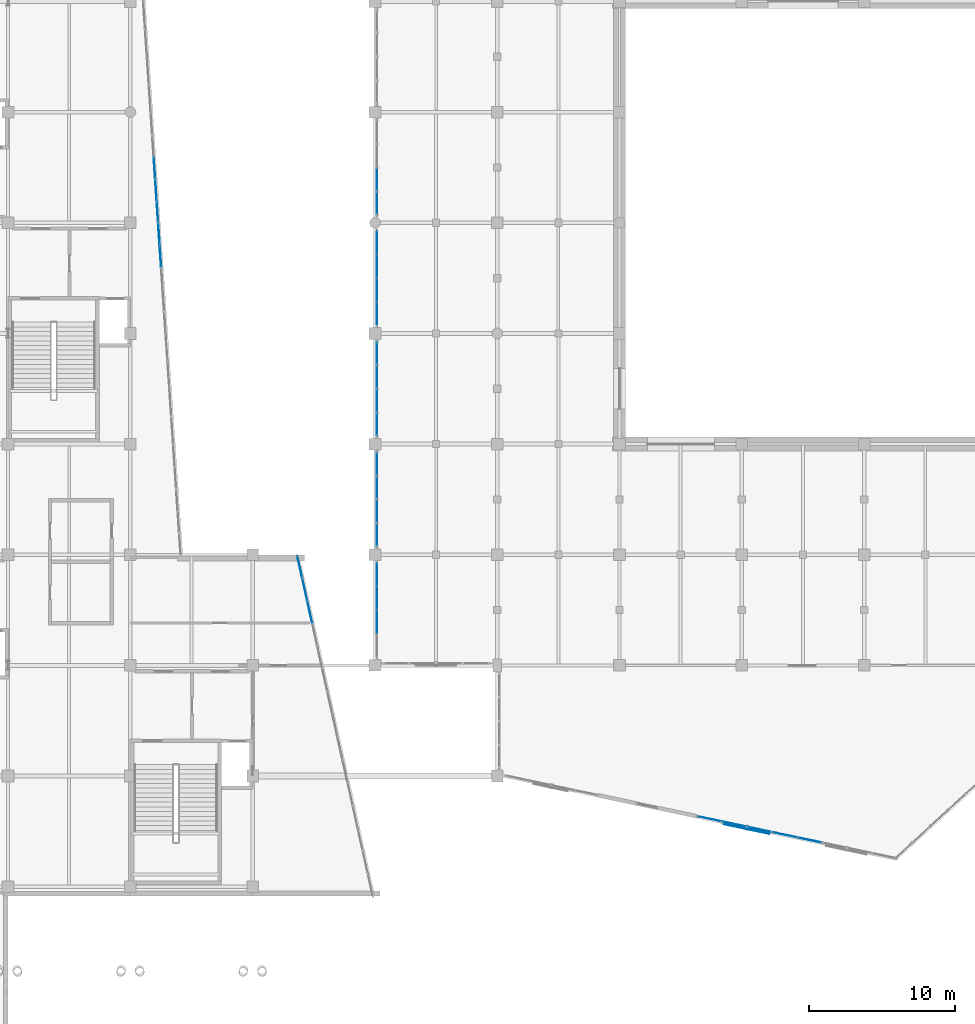
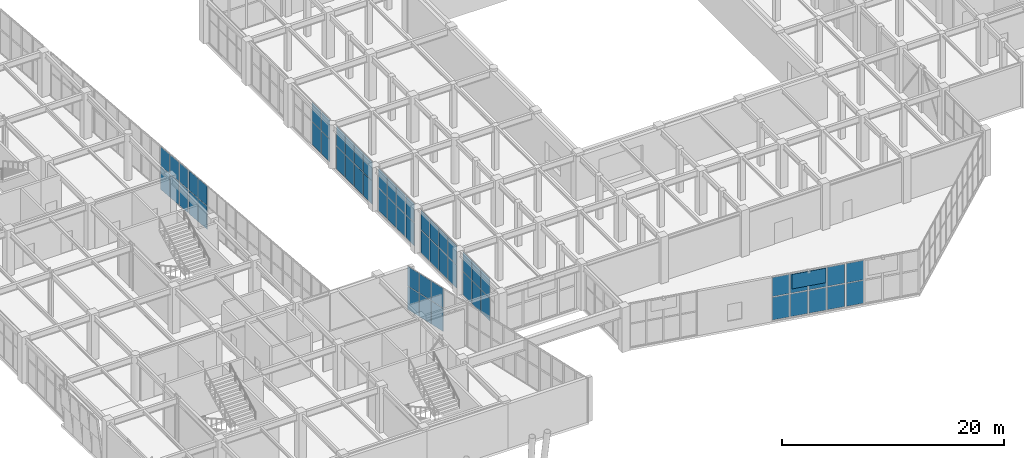
# One storey, part 96 of 128: 61 plates, 10 elements without a shape of their own.
"""IFC4 building model written with IfcOpenShell, lengths in metres."""

from ifc_helpers import new_model, si_unit, direction, frame, origin, origin_2d, place, context, subcontext, project, spatial, rectangle, extrude, material, layer, layer_set, type_object, element, aggregate, save


model = new_model("IFC4")

# Units and contexts
model_context = context("Model", 3, precision=1e-05, world=origin(), true_north=direction((0.0, 1.0)))
body_context = subcontext(model_context, "Body", "Model", "MODEL_VIEW")
ifc_project = project(units=[si_unit("LENGTHUNIT", "METRE"), si_unit("AREAUNIT", "SQUARE_METRE"), si_unit("VOLUMEUNIT", "CUBIC_METRE"), si_unit("PLANEANGLEUNIT", "RADIAN"), si_unit("MASSUNIT", "GRAM", prefix="KILO")], contexts=[model_context])

# Site, building, storey
site_placement = place(None, origin())
site = spatial("IfcSite", under=ifc_project, at=site_placement, CompositionType="ELEMENT")
building_placement = place(site_placement, origin())
building = spatial("IfcBuilding", under=site, at=building_placement, Name="Xicomal Pleat Aquarium", CompositionType="ELEMENT")
storey_placement = place(building_placement, frame((0.0, 0.0, 5.39990234375)))
storey = spatial("IfcBuildingStorey", under=building, at=storey_placement, Name="L02", CompositionType="ELEMENT", Elevation=5.39990234375)

# Curtain wall, plates
ifc_material_1 = material(Name="Bronze anodized aluminium 6063-T6", Category="aluminium")
ifc_layer_1 = layer(ifc_material_1, 0.159912109375)
ifc_layer_set_1 = layer_set([ifc_layer_1], Name="Bronze anodized aluminium 6063-T6")
curtain_wall_type_1 = type_object("IfcCurtainWallType", Name="CW-SYS-12", PredefinedType="NOTDEFINED", material=ifc_layer_set_1)
curtain_wall_1_placement = place(storey_placement, origin())
curtain_wall_1 = element("IfcCurtainWall", 1, at=curtain_wall_1_placement, inside=storey, type_object=curtain_wall_type_1, Name="L02 unitised curtain wall CW-L02-092", PredefinedType="NOTDEFINED")
ifc_material_2 = material(Name="Insulated low-E laminated glass", Category="glass")
ifc_layer_2 = layer(ifc_material_2, 0.028076171875)
ifc_layer_set_2 = layer_set([ifc_layer_2], Name="Insulated low-E laminated glass")
plate_type_1 = type_object("IfcPlateType", Name="CWP-GLZ-28", PredefinedType="CURTAIN_PANEL", material=ifc_layer_set_2)
plate_1_placement = place(storey_placement, frame((71.902099609375, 18.772705078125, 0.0849609375), z_axis=(0.0, 0.0, 1.0), x_axis=(-0.978321888486, 0.207090034789, 0.0)))
plate_1 = element("IfcPlate", 2, at=plate_1_placement, type_object=plate_type_1, Name="CW-12 panel 1.1", PredefinedType="CURTAIN_PANEL", context=body_context, shape_type="SweptSolid", body=[
    extrude(rectangle(XDim=1.622802734375, YDim=0.028076171875, at=origin_2d()), origin(), (0.0, 0.0, 1.0), 2.49658203125),
])
plate_2_placement = place(storey_placement, frame((71.902099609375, 18.772705078125, 2.66650390625), z_axis=(0.0, 0.0, 1.0), x_axis=(-0.978321888486, 0.207090034789, 0.0)))
plate_2 = element("IfcPlate", 3, at=plate_2_placement, type_object=plate_type_1, Name="CW-12 panel 1.2", PredefinedType="CURTAIN_PANEL", context=body_context, shape_type="SweptSolid", body=[
    extrude(rectangle(XDim=1.622802734375, YDim=0.028076171875, at=origin_2d()), origin(), (0.0, 0.0, 1.0), 2.1083984375),
])
plate_3_placement = place(storey_placement, frame((70.210205078125, 19.130615234375, 0.0849609375), z_axis=(0.0, 0.0, 1.0), x_axis=(-0.978321888486, 0.207090034789, 0.0)))
plate_3 = element("IfcPlate", 4, at=plate_3_placement, type_object=plate_type_1, Name="CW-12 panel 2.1", PredefinedType="CURTAIN_PANEL", context=body_context, shape_type="SweptSolid", body=[
    extrude(rectangle(XDim=1.665283203125, YDim=0.028076171875, at=origin_2d()), origin(), (0.0, 0.0, 1.0), 2.49658203125),
])
plate_4_placement = place(storey_placement, frame((70.210205078125, 19.130615234375, 2.66650390625), z_axis=(0.0, 0.0, 1.0), x_axis=(-0.978321888486, 0.207090034789, 0.0)))
plate_4 = element("IfcPlate", 5, at=plate_4_placement, type_object=plate_type_1, Name="CW-12 panel 2.2", PredefinedType="CURTAIN_PANEL", context=body_context, shape_type="SweptSolid", body=[
    extrude(rectangle(XDim=1.665283203125, YDim=0.028076171875, at=origin_2d()), origin(), (0.0, 0.0, 1.0), 2.1083984375),
])
plate_5_placement = place(storey_placement, frame((68.497802734375, 19.4931640625, 0.0849609375), z_axis=(0.0, 0.0, 1.0), x_axis=(-0.978321888486, 0.207090034789, 0.0)))
plate_5 = element("IfcPlate", 6, at=plate_5_placement, type_object=plate_type_1, Name="CW-12 panel 3.1", PredefinedType="CURTAIN_PANEL", context=body_context, shape_type="SweptSolid", body=[
    extrude(rectangle(XDim=1.665283203125, YDim=0.028076171875, at=origin_2d()), origin(), (0.0, 0.0, 1.0), 2.49658203125),
])
plate_6_placement = place(storey_placement, frame((68.497802734375, 19.4931640625, 2.66650390625), z_axis=(0.0, 0.0, 1.0), x_axis=(-0.978321888486, 0.207090034789, 0.0)))
plate_6 = element("IfcPlate", 7, at=plate_6_placement, type_object=plate_type_1, Name="CW-12 panel 3.2", PredefinedType="CURTAIN_PANEL", context=body_context, shape_type="SweptSolid", body=[
    extrude(rectangle(XDim=1.665283203125, YDim=0.028076171875, at=origin_2d()), origin(), (0.0, 0.0, 1.0), 2.1083984375),
])
plate_7_placement = place(storey_placement, frame((66.805908203125, 19.851318359375, 0.0849609375), z_axis=(0.0, 0.0, 1.0), x_axis=(-0.978321888486, 0.207090034789, 0.0)))
plate_7 = element("IfcPlate", 8, at=plate_7_placement, type_object=plate_type_1, Name="CW-12 panel 4.1", PredefinedType="CURTAIN_PANEL", context=body_context, shape_type="SweptSolid", body=[
    extrude(rectangle(XDim=1.622802734375, YDim=0.028076171875, at=origin_2d()), origin(), (0.0, 0.0, 1.0), 2.49658203125),
])
plate_8_placement = place(storey_placement, frame((66.805908203125, 19.851318359375, 2.66650390625), z_axis=(0.0, 0.0, 1.0), x_axis=(-0.978321888486, 0.207090034789, 0.0)))
plate_8 = element("IfcPlate", 9, at=plate_8_placement, type_object=plate_type_1, Name="CW-12 panel 4.2", PredefinedType="CURTAIN_PANEL", context=body_context, shape_type="SweptSolid", body=[
    extrude(rectangle(XDim=1.622802734375, YDim=0.028076171875, at=origin_2d()), origin(), (0.0, 0.0, 1.0), 2.1083984375),
])
aggregate(curtain_wall_1, [plate_1, plate_2, plate_3, plate_4, plate_5, plate_6, plate_7, plate_8])

ifc_material_3 = material(Name="Bronze anodized aluminium 6063-T6", Category="aluminium")
ifc_layer_3 = layer(ifc_material_3, 0.159912109375)
ifc_layer_set_3 = layer_set([ifc_layer_3], Name="Bronze anodized aluminium 6063-T6")
curtain_wall_type_2 = type_object("IfcCurtainWallType", Name="CW-SYS-02", PredefinedType="NOTDEFINED", material=ifc_layer_set_3)
curtain_wall_2_placement = place(storey_placement, origin())
curtain_wall_2 = element("IfcCurtainWall", 10, at=curtain_wall_2_placement, inside=storey, type_object=curtain_wall_type_2, Name="L02 unitised curtain wall CW-L02-096", PredefinedType="NOTDEFINED")
plate_9_placement = place(storey_placement, frame((43.93994140625, 33.3798828125, 0.06494140625), z_axis=(0.0, 0.0, 1.0), x_axis=(0.0, 1.0, 0.0)))
plate_9 = element("IfcPlate", 11, at=plate_9_placement, type_object=plate_type_1, Name="CW-02 panel 2.1", PredefinedType="CURTAIN_PANEL", context=body_context, shape_type="SweptSolid", body=[
    extrude(rectangle(XDim=1.574951171875, YDim=0.028076171875, at=origin_2d()), origin(), (0.0, 0.0, 1.0), 2.505615234375),
])
plate_10_placement = place(storey_placement, frame((43.93994140625, 33.3798828125, 2.6357421875), z_axis=(0.0, 0.0, 1.0), x_axis=(0.0, 1.0, 0.0)))
plate_10 = element("IfcPlate", 12, at=plate_10_placement, type_object=plate_type_1, Name="CW-02 panel 2.2", PredefinedType="CURTAIN_PANEL", context=body_context, shape_type="SweptSolid", body=[
    extrude(rectangle(XDim=1.574951171875, YDim=0.028076171875, at=origin_2d()), origin(), (0.0, 0.0, 1.0), 2.119384765625),
])
plate_11_placement = place(storey_placement, frame((43.93994140625, 35.02001953125, 0.06494140625), z_axis=(0.0, 0.0, 1.0), x_axis=(0.0, 1.0, 0.0)))
plate_11 = element("IfcPlate", 13, at=plate_11_placement, type_object=plate_type_1, Name="CW-02 panel 3.1", PredefinedType="CURTAIN_PANEL", context=body_context, shape_type="SweptSolid", body=[
    extrude(rectangle(XDim=1.574951171875, YDim=0.028076171875, at=origin_2d()), origin(), (0.0, 0.0, 1.0), 2.505615234375),
])
plate_12_placement = place(storey_placement, frame((43.93994140625, 35.02001953125, 2.6357421875), z_axis=(0.0, 0.0, 1.0), x_axis=(0.0, 1.0, 0.0)))
plate_12 = element("IfcPlate", 14, at=plate_12_placement, type_object=plate_type_1, Name="CW-02 panel 3.2", PredefinedType="CURTAIN_PANEL", context=body_context, shape_type="SweptSolid", body=[
    extrude(rectangle(XDim=1.574951171875, YDim=0.028076171875, at=origin_2d()), origin(), (0.0, 0.0, 1.0), 2.119384765625),
])
plate_13_placement = place(storey_placement, frame((43.93994140625, 36.643798828125, 0.06494140625), z_axis=(0.0, 0.0, 1.0), x_axis=(0.0, 1.0, 0.0)))
plate_13 = element("IfcPlate", 15, at=plate_13_placement, type_object=plate_type_1, Name="CW-02 panel 4.1", PredefinedType="CURTAIN_PANEL", context=body_context, shape_type="SweptSolid", body=[
    extrude(rectangle(XDim=1.54248046875, YDim=0.028076171875, at=origin_2d()), origin(), (0.0, 0.0, 1.0), 2.505615234375),
])
plate_14_placement = place(storey_placement, frame((43.93994140625, 36.643798828125, 2.6357421875), z_axis=(0.0, 0.0, 1.0), x_axis=(0.0, 1.0, 0.0)))
plate_14 = element("IfcPlate", 16, at=plate_14_placement, type_object=plate_type_1, Name="CW-02 panel 4.2", PredefinedType="CURTAIN_PANEL", context=body_context, shape_type="SweptSolid", body=[
    extrude(rectangle(XDim=1.54248046875, YDim=0.028076171875, at=origin_2d()), origin(), (0.0, 0.0, 1.0), 2.119384765625),
])
aggregate(curtain_wall_2, [plate_9, plate_10, plate_11, plate_12, plate_13, plate_14])

ifc_material_4 = material(Name="Bronze anodized aluminium 6063-T6", Category="aluminium")
ifc_layer_4 = layer(ifc_material_4, 0.159912109375)
ifc_layer_set_4 = layer_set([ifc_layer_4], Name="Bronze anodized aluminium 6063-T6")
curtain_wall_type_3 = type_object("IfcCurtainWallType", Name="CW-SYS-07", PredefinedType="NOTDEFINED", material=ifc_layer_set_4)
curtain_wall_3_placement = place(storey_placement, origin())
curtain_wall_3 = element("IfcCurtainWall", 17, at=curtain_wall_3_placement, inside=storey, type_object=curtain_wall_type_3, Name="L02 unitised curtain wall CW-L02-100", PredefinedType="NOTDEFINED")
plate_15_placement = place(storey_placement, frame((43.93994140625, 62.15869140625, 0.0751953125), z_axis=(0.0, 0.0, 1.0), x_axis=(0.0, 1.0, 0.0)))
plate_15 = element("IfcPlate", 18, at=plate_15_placement, type_object=plate_type_1, Name="CW-07 panel 1.1", PredefinedType="CURTAIN_PANEL", context=body_context, shape_type="SweptSolid", body=[
    extrude(rectangle(XDim=1.527587890625, YDim=0.028076171875, at=origin_2d()), origin(), (0.0, 0.0, 1.0), 2.490478515625),
])
plate_16_placement = place(storey_placement, frame((43.93994140625, 62.15869140625, 2.640625), z_axis=(0.0, 0.0, 1.0), x_axis=(0.0, 1.0, 0.0)))
plate_16 = element("IfcPlate", 19, at=plate_16_placement, type_object=plate_type_1, Name="CW-07 panel 1.2", PredefinedType="CURTAIN_PANEL", context=body_context, shape_type="SweptSolid", body=[
    extrude(rectangle(XDim=1.527587890625, YDim=0.028076171875, at=origin_2d()), origin(), (0.0, 0.0, 1.0), 2.1044921875),
])
plate_17_placement = place(storey_placement, frame((43.93994140625, 63.780029296875, 0.0751953125), z_axis=(0.0, 0.0, 1.0), x_axis=(0.0, 1.0, 0.0)))
plate_17 = element("IfcPlate", 20, at=plate_17_placement, type_object=plate_type_1, Name="CW-07 panel 2.1", PredefinedType="CURTAIN_PANEL", context=body_context, shape_type="SweptSolid", body=[
    extrude(rectangle(XDim=1.56494140625, YDim=0.028076171875, at=origin_2d()), origin(), (0.0, 0.0, 1.0), 2.490478515625),
])
plate_18_placement = place(storey_placement, frame((43.93994140625, 63.780029296875, 2.640625), z_axis=(0.0, 0.0, 1.0), x_axis=(0.0, 1.0, 0.0)))
plate_18 = element("IfcPlate", 21, at=plate_18_placement, type_object=plate_type_1, Name="CW-07 panel 2.2", PredefinedType="CURTAIN_PANEL", context=body_context, shape_type="SweptSolid", body=[
    extrude(rectangle(XDim=1.56494140625, YDim=0.028076171875, at=origin_2d()), origin(), (0.0, 0.0, 1.0), 2.1044921875),
])
aggregate(curtain_wall_3, [plate_15, plate_16, plate_17, plate_18])

curtain_wall_4_placement = place(storey_placement, origin())
curtain_wall_4 = element("IfcCurtainWall", 22, at=curtain_wall_4_placement, inside=storey, type_object=curtain_wall_type_3, Name="L02 unitised curtain wall CW-L02-097", PredefinedType="NOTDEFINED")
ifc_material_5 = material(Name="Insulated low-E laminated glass", Category="glass")
ifc_layer_5 = layer(ifc_material_5, 0.031982421875)
ifc_layer_set_5 = layer_set([ifc_layer_5], Name="Insulated low-E laminated glass")
plate_type_2 = type_object("IfcPlateType", Name="CWP-GLZ-32", PredefinedType="CURTAIN_PANEL", material=ifc_layer_set_5)
plate_19_placement = place(storey_placement, frame((43.93994140625, 39.35888671875, 0.0751953125), z_axis=(0.0, 0.0, 1.0), x_axis=(0.0, 1.0, 0.0)))
plate_19 = element("IfcPlate", 23, at=plate_19_placement, type_object=plate_type_2, Name="CW-07 panel 1.1", PredefinedType="CURTAIN_PANEL", context=body_context, shape_type="SweptSolid", body=[
    extrude(rectangle(XDim=1.527587890625, YDim=0.031982421875, at=origin_2d()), origin(), (0.0, 0.0, 1.0), 2.490478515625),
])
plate_20_placement = place(storey_placement, frame((43.93994140625, 39.35888671875, 2.640625), z_axis=(0.0, 0.0, 1.0), x_axis=(0.0, 1.0, 0.0)))
plate_20 = element("IfcPlate", 24, at=plate_20_placement, type_object=plate_type_2, Name="CW-07 panel 1.2", PredefinedType="CURTAIN_PANEL", context=body_context, shape_type="SweptSolid", body=[
    extrude(rectangle(XDim=1.527587890625, YDim=0.031982421875, at=origin_2d()), origin(), (0.0, 0.0, 1.0), 2.1044921875),
])
plate_21_placement = place(storey_placement, frame((43.93994140625, 40.97998046875, 0.0751953125), z_axis=(0.0, 0.0, 1.0), x_axis=(0.0, 1.0, 0.0)))
plate_21 = element("IfcPlate", 25, at=plate_21_placement, type_object=plate_type_2, Name="CW-07 panel 2.1", PredefinedType="CURTAIN_PANEL", context=body_context, shape_type="SweptSolid", body=[
    extrude(rectangle(XDim=1.56494140625, YDim=0.031982421875, at=origin_2d()), origin(), (0.0, 0.0, 1.0), 2.490478515625),
])
plate_22_placement = place(storey_placement, frame((43.93994140625, 40.97998046875, 2.640625), z_axis=(0.0, 0.0, 1.0), x_axis=(0.0, 1.0, 0.0)))
plate_22 = element("IfcPlate", 26, at=plate_22_placement, type_object=plate_type_2, Name="CW-07 panel 2.2", PredefinedType="CURTAIN_PANEL", context=body_context, shape_type="SweptSolid", body=[
    extrude(rectangle(XDim=1.56494140625, YDim=0.031982421875, at=origin_2d()), origin(), (0.0, 0.0, 1.0), 2.1044921875),
])
plate_23_placement = place(storey_placement, frame((43.93994140625, 42.6201171875, 0.0751953125), z_axis=(0.0, 0.0, 1.0), x_axis=(0.0, 1.0, 0.0)))
plate_23 = element("IfcPlate", 27, at=plate_23_placement, type_object=plate_type_2, Name="CW-07 panel 3.1", PredefinedType="CURTAIN_PANEL", context=body_context, shape_type="SweptSolid", body=[
    extrude(rectangle(XDim=1.56494140625, YDim=0.031982421875, at=origin_2d()), origin(), (0.0, 0.0, 1.0), 2.490478515625),
])
plate_24_placement = place(storey_placement, frame((43.93994140625, 42.6201171875, 2.640625), z_axis=(0.0, 0.0, 1.0), x_axis=(0.0, 1.0, 0.0)))
plate_24 = element("IfcPlate", 28, at=plate_24_placement, type_object=plate_type_2, Name="CW-07 panel 3.2", PredefinedType="CURTAIN_PANEL", context=body_context, shape_type="SweptSolid", body=[
    extrude(rectangle(XDim=1.56494140625, YDim=0.031982421875, at=origin_2d()), origin(), (0.0, 0.0, 1.0), 2.1044921875),
])
plate_25_placement = place(storey_placement, frame((43.93994140625, 44.2412109375, 0.0751953125), z_axis=(0.0, 0.0, 1.0), x_axis=(0.0, 1.0, 0.0)))
plate_25 = element("IfcPlate", 29, at=plate_25_placement, type_object=plate_type_2, Name="CW-07 panel 4.1", PredefinedType="CURTAIN_PANEL", context=body_context, shape_type="SweptSolid", body=[
    extrude(rectangle(XDim=1.527587890625, YDim=0.031982421875, at=origin_2d()), origin(), (0.0, 0.0, 1.0), 2.490478515625),
])
plate_26_placement = place(storey_placement, frame((43.93994140625, 44.2412109375, 2.640625), z_axis=(0.0, 0.0, 1.0), x_axis=(0.0, 1.0, 0.0)))
plate_26 = element("IfcPlate", 30, at=plate_26_placement, type_object=plate_type_2, Name="CW-07 panel 4.2", PredefinedType="CURTAIN_PANEL", context=body_context, shape_type="SweptSolid", body=[
    extrude(rectangle(XDim=1.527587890625, YDim=0.031982421875, at=origin_2d()), origin(), (0.0, 0.0, 1.0), 2.1044921875),
])
aggregate(curtain_wall_4, [plate_19, plate_20, plate_21, plate_22, plate_23, plate_24, plate_25, plate_26])

curtain_wall_5_placement = place(storey_placement, origin())
curtain_wall_5 = element("IfcCurtainWall", 31, at=curtain_wall_5_placement, inside=storey, type_object=curtain_wall_type_1, Name="L02 unitised curtain wall CW-L02-098", PredefinedType="NOTDEFINED")
ifc_material_6 = material(Name="Insulated low-E laminated glass", Category="glass")
ifc_layer_6 = layer(ifc_material_6, 0.035888671875)
ifc_layer_set_6 = layer_set([ifc_layer_6], Name="Insulated low-E laminated glass")
plate_type_3 = type_object("IfcPlateType", Name="CWP-GLZ-36", PredefinedType="CURTAIN_PANEL", material=ifc_layer_set_6)
plate_27_placement = place(storey_placement, frame((43.93994140625, 46.961181640625, 0.085205078125), z_axis=(0.0, 0.0, 1.0), x_axis=(0.0, 1.0, 0.0)))
plate_27 = element("IfcPlate", 32, at=plate_27_placement, type_object=plate_type_3, Name="CW-12 panel 1.1", PredefinedType="CURTAIN_PANEL", context=body_context, shape_type="SweptSolid", body=[
    extrude(rectangle(XDim=1.512451171875, YDim=0.035888671875, at=origin_2d()), origin(), (0.0, 0.0, 1.0), 2.4755859375),
])
plate_28_placement = place(storey_placement, frame((43.93994140625, 46.961181640625, 2.6455078125), z_axis=(0.0, 0.0, 1.0), x_axis=(0.0, 1.0, 0.0)))
plate_28 = element("IfcPlate", 33, at=plate_28_placement, type_object=plate_type_3, Name="CW-12 panel 1.2", PredefinedType="CURTAIN_PANEL", context=body_context, shape_type="SweptSolid", body=[
    extrude(rectangle(XDim=1.512451171875, YDim=0.035888671875, at=origin_2d()), origin(), (0.0, 0.0, 1.0), 2.089599609375),
])
plate_29_placement = place(storey_placement, frame((43.93994140625, 48.580078125, 0.085205078125), z_axis=(0.0, 0.0, 1.0), x_axis=(0.0, 1.0, 0.0)))
plate_29 = element("IfcPlate", 34, at=plate_29_placement, type_object=plate_type_3, Name="CW-12 panel 2.1", PredefinedType="CURTAIN_PANEL", context=body_context, shape_type="SweptSolid", body=[
    extrude(rectangle(XDim=1.554931640625, YDim=0.035888671875, at=origin_2d()), origin(), (0.0, 0.0, 1.0), 2.4755859375),
])
plate_30_placement = place(storey_placement, frame((43.93994140625, 48.580078125, 2.6455078125), z_axis=(0.0, 0.0, 1.0), x_axis=(0.0, 1.0, 0.0)))
plate_30 = element("IfcPlate", 35, at=plate_30_placement, type_object=plate_type_3, Name="CW-12 panel 2.2", PredefinedType="CURTAIN_PANEL", context=body_context, shape_type="SweptSolid", body=[
    extrude(rectangle(XDim=1.554931640625, YDim=0.035888671875, at=origin_2d()), origin(), (0.0, 0.0, 1.0), 2.089599609375),
])
plate_31_placement = place(storey_placement, frame((43.93994140625, 50.219970703125, 0.085205078125), z_axis=(0.0, 0.0, 1.0), x_axis=(0.0, 1.0, 0.0)))
plate_31 = element("IfcPlate", 36, at=plate_31_placement, type_object=plate_type_3, Name="CW-12 panel 3.1", PredefinedType="CURTAIN_PANEL", context=body_context, shape_type="SweptSolid", body=[
    extrude(rectangle(XDim=1.554931640625, YDim=0.035888671875, at=origin_2d()), origin(), (0.0, 0.0, 1.0), 2.4755859375),
])
plate_32_placement = place(storey_placement, frame((43.93994140625, 50.219970703125, 2.6455078125), z_axis=(0.0, 0.0, 1.0), x_axis=(0.0, 1.0, 0.0)))
plate_32 = element("IfcPlate", 37, at=plate_32_placement, type_object=plate_type_3, Name="CW-12 panel 3.2", PredefinedType="CURTAIN_PANEL", context=body_context, shape_type="SweptSolid", body=[
    extrude(rectangle(XDim=1.554931640625, YDim=0.035888671875, at=origin_2d()), origin(), (0.0, 0.0, 1.0), 2.089599609375),
])
plate_33_placement = place(storey_placement, frame((43.93994140625, 51.838623046875, 0.085205078125), z_axis=(0.0, 0.0, 1.0), x_axis=(0.0, 1.0, 0.0)))
plate_33 = element("IfcPlate", 38, at=plate_33_placement, type_object=plate_type_3, Name="CW-12 panel 4.1", PredefinedType="CURTAIN_PANEL", context=body_context, shape_type="SweptSolid", body=[
    extrude(rectangle(XDim=1.512451171875, YDim=0.035888671875, at=origin_2d()), origin(), (0.0, 0.0, 1.0), 2.4755859375),
])
plate_34_placement = place(storey_placement, frame((43.93994140625, 51.838623046875, 2.6455078125), z_axis=(0.0, 0.0, 1.0), x_axis=(0.0, 1.0, 0.0)))
plate_34 = element("IfcPlate", 39, at=plate_34_placement, type_object=plate_type_3, Name="CW-12 panel 4.2", PredefinedType="CURTAIN_PANEL", context=body_context, shape_type="SweptSolid", body=[
    extrude(rectangle(XDim=1.512451171875, YDim=0.035888671875, at=origin_2d()), origin(), (0.0, 0.0, 1.0), 2.089599609375),
])
aggregate(curtain_wall_5, [plate_27, plate_28, plate_29, plate_30, plate_31, plate_32, plate_33, plate_34])

curtain_wall_6_placement = place(storey_placement, origin())
curtain_wall_6 = element("IfcCurtainWall", 40, at=curtain_wall_6_placement, inside=storey, type_object=curtain_wall_type_1, Name="L02 unitised curtain wall CW-L02-134", PredefinedType="NOTDEFINED")
plate_35_placement = place(storey_placement, frame((28.659912109375, 64.591064453125, 0.0849609375), z_axis=(0.0, 0.0, 1.0), x_axis=(0.067477433092, -0.997720800637, 0.0)))
plate_35 = element("IfcPlate", 41, at=plate_35_placement, type_object=plate_type_3, Name="CW-12 panel 3.1", PredefinedType="CURTAIN_PANEL", context=body_context, shape_type="SweptSolid", body=[
    extrude(rectangle(XDim=1.4384765625, YDim=0.035888671875, at=origin_2d()), origin(), (0.0, 0.0, 1.0), 2.505615234375),
])
plate_36_placement = place(storey_placement, frame((28.659912109375, 64.591064453125, 2.67578125), z_axis=(0.0, 0.0, 1.0), x_axis=(0.067477433092, -0.997720800637, 0.0)))
plate_36 = element("IfcPlate", 42, at=plate_36_placement, type_object=plate_type_3, Name="CW-12 panel 3.2", PredefinedType="CURTAIN_PANEL", context=body_context, shape_type="SweptSolid", body=[
    extrude(rectangle(XDim=1.4384765625, YDim=0.035888671875, at=origin_2d()), origin(), (0.0, 0.0, 1.0), 2.114501953125),
])
plate_37_placement = place(storey_placement, frame((28.7626953125, 63.071044921875, 0.0849609375), z_axis=(0.0, 0.0, 1.0), x_axis=(0.067477433092, -0.997720800637, 0.0)))
plate_37 = element("IfcPlate", 43, at=plate_37_placement, type_object=plate_type_3, Name="CW-12 panel 4.1", PredefinedType="CURTAIN_PANEL", context=body_context, shape_type="SweptSolid", body=[
    extrude(rectangle(XDim=1.4384765625, YDim=0.035888671875, at=origin_2d()), origin(), (0.0, 0.0, 1.0), 2.505615234375),
])
plate_38_placement = place(storey_placement, frame((28.7626953125, 63.071044921875, 2.67578125), z_axis=(0.0, 0.0, 1.0), x_axis=(0.067477433092, -0.997720800637, 0.0)))
plate_38 = element("IfcPlate", 44, at=plate_38_placement, type_object=plate_type_3, Name="CW-12 panel 4.2", PredefinedType="CURTAIN_PANEL", context=body_context, shape_type="SweptSolid", body=[
    extrude(rectangle(XDim=1.4384765625, YDim=0.035888671875, at=origin_2d()), origin(), (0.0, 0.0, 1.0), 2.114501953125),
])
plate_39_placement = place(storey_placement, frame((28.8642578125, 61.572265625, 0.0849609375), z_axis=(0.0, 0.0, 1.0), x_axis=(0.067477433092, -0.997720800637, 0.0)))
plate_39 = element("IfcPlate", 45, at=plate_39_placement, type_object=plate_type_3, Name="CW-12 panel 5.1", PredefinedType="CURTAIN_PANEL", context=body_context, shape_type="SweptSolid", body=[
    extrude(rectangle(XDim=1.39599609375, YDim=0.035888671875, at=origin_2d()), origin(), (0.0, 0.0, 1.0), 2.505615234375),
])
plate_40_placement = place(storey_placement, frame((28.8642578125, 61.572265625, 2.67578125), z_axis=(0.0, 0.0, 1.0), x_axis=(0.067477433092, -0.997720800637, 0.0)))
plate_40 = element("IfcPlate", 46, at=plate_40_placement, type_object=plate_type_3, Name="CW-12 panel 5.2", PredefinedType="CURTAIN_PANEL", context=body_context, shape_type="SweptSolid", body=[
    extrude(rectangle(XDim=1.39599609375, YDim=0.035888671875, at=origin_2d()), origin(), (0.0, 0.0, 1.0), 2.114501953125),
])
aggregate(curtain_wall_6, [plate_35, plate_36, plate_37, plate_38, plate_39, plate_40])

curtain_wall_7_placement = place(storey_placement, origin())
curtain_wall_7 = element("IfcCurtainWall", 47, at=curtain_wall_7_placement, inside=storey, type_object=curtain_wall_type_2, Name="L02 unitised curtain wall CW-L02-138", PredefinedType="NOTDEFINED")
plate_41_placement = place(storey_placement, frame((38.639892578125, 37.1728515625, 0.06494140625), z_axis=(0.0, 0.0, 1.0), x_axis=(0.216546756166, -0.976272248092, 0.0)))
plate_41 = element("IfcPlate", 48, at=plate_41_placement, type_object=plate_type_3, Name="CW-02 panel 1.1", PredefinedType="CURTAIN_PANEL", context=body_context, shape_type="SweptSolid", body=[
    extrude(rectangle(XDim=1.503173828125, YDim=0.035888671875, at=origin_2d()), origin(), (0.0, 0.0, 1.0), 2.526611328125),
])
plate_42_placement = place(storey_placement, frame((38.639892578125, 37.1728515625, 2.65673828125), z_axis=(0.0, 0.0, 1.0), x_axis=(0.216546756166, -0.976272248092, 0.0)))
plate_42 = element("IfcPlate", 49, at=plate_42_placement, type_object=plate_type_3, Name="CW-02 panel 1.2", PredefinedType="CURTAIN_PANEL", context=body_context, shape_type="SweptSolid", body=[
    extrude(rectangle(XDim=1.503173828125, YDim=0.035888671875, at=origin_2d()), origin(), (0.0, 0.0, 1.0), 2.138427734375),
])
plate_43_placement = place(storey_placement, frame((38.98291015625, 35.626220703125, 0.06494140625), z_axis=(0.0, 0.0, 1.0), x_axis=(0.216546756166, -0.976272248092, 0.0)))
plate_43 = element("IfcPlate", 50, at=plate_43_placement, type_object=plate_type_3, Name="CW-02 panel 2.1", PredefinedType="CURTAIN_PANEL", context=body_context, shape_type="SweptSolid", body=[
    extrude(rectangle(XDim=1.53564453125, YDim=0.035888671875, at=origin_2d()), origin(), (0.0, 0.0, 1.0), 2.526611328125),
])
plate_44_placement = place(storey_placement, frame((38.98291015625, 35.626220703125, 2.65673828125), z_axis=(0.0, 0.0, 1.0), x_axis=(0.216546756166, -0.976272248092, 0.0)))
plate_44 = element("IfcPlate", 51, at=plate_44_placement, type_object=plate_type_3, Name="CW-02 panel 2.2", PredefinedType="CURTAIN_PANEL", context=body_context, shape_type="SweptSolid", body=[
    extrude(rectangle(XDim=1.53564453125, YDim=0.035888671875, at=origin_2d()), origin(), (0.0, 0.0, 1.0), 2.138427734375),
])
plate_45_placement = place(storey_placement, frame((39.32958984375, 34.0634765625, 0.06494140625), z_axis=(0.0, 0.0, 1.0), x_axis=(0.216546756166, -0.976272248092, 0.0)))
plate_45 = element("IfcPlate", 52, at=plate_45_placement, type_object=plate_type_3, Name="CW-02 panel 3.1", PredefinedType="CURTAIN_PANEL", context=body_context, shape_type="SweptSolid", body=[
    extrude(rectangle(XDim=1.53564453125, YDim=0.035888671875, at=origin_2d()), origin(), (0.0, 0.0, 1.0), 2.526611328125),
])
plate_46_placement = place(storey_placement, frame((39.32958984375, 34.0634765625, 2.65673828125), z_axis=(0.0, 0.0, 1.0), x_axis=(0.216546756166, -0.976272248092, 0.0)))
plate_46 = element("IfcPlate", 53, at=plate_46_placement, type_object=plate_type_3, Name="CW-02 panel 3.2", PredefinedType="CURTAIN_PANEL", context=body_context, shape_type="SweptSolid", body=[
    extrude(rectangle(XDim=1.53564453125, YDim=0.035888671875, at=origin_2d()), origin(), (0.0, 0.0, 1.0), 2.138427734375),
])
aggregate(curtain_wall_7, [plate_41, plate_42, plate_43, plate_44, plate_45, plate_46])

curtain_wall_8_placement = place(storey_placement, origin())
curtain_wall_8 = element("IfcCurtainWall", 54, at=curtain_wall_8_placement, inside=storey, type_object=curtain_wall_type_3, Name="L02 unitised curtain wall CW-L02-091", PredefinedType="NOTDEFINED")
ifc_material_7 = material(Name="Insulated low-E laminated glass", Category="glass")
ifc_layer_7 = layer(ifc_material_7, 0.0419921875)
ifc_layer_set_7 = layer_set([ifc_layer_7], Name="Insulated low-E laminated glass")
plate_type_4 = type_object("IfcPlateType", Name="CWP-GLZ-42", PredefinedType="CURTAIN_PANEL", material=ifc_layer_set_7)
plate_47_placement = place(storey_placement, frame((73.653564453125, 18.40185546875, 0.0751953125), z_axis=(0.0, 0.0, 1.0), x_axis=(-0.978321888486, 0.207090034789, 0.0)))
plate_47 = element("IfcPlate", 55, at=plate_47_placement, type_object=plate_type_4, Name="CW-07 panel 4.1", PredefinedType="CURTAIN_PANEL", context=body_context, shape_type="SweptSolid", body=[
    extrude(rectangle(XDim=1.637939453125, YDim=0.0419921875, at=origin_2d()), origin(), (0.0, 0.0, 1.0), 2.511474609375),
])
plate_48_placement = place(storey_placement, frame((73.653564453125, 18.40185546875, 2.66162109375), z_axis=(0.0, 0.0, 1.0), x_axis=(-0.978321888486, 0.207090034789, 0.0)))
plate_48 = element("IfcPlate", 56, at=plate_48_placement, type_object=plate_type_4, Name="CW-07 panel 4.2", PredefinedType="CURTAIN_PANEL", context=body_context, shape_type="SweptSolid", body=[
    extrude(rectangle(XDim=1.637939453125, YDim=0.0419921875, at=origin_2d()), origin(), (0.0, 0.0, 1.0), 2.12353515625),
])
aggregate(curtain_wall_8, [plate_47, plate_48])

curtain_wall_9_placement = place(storey_placement, origin())
curtain_wall_9 = element("IfcCurtainWall", 57, at=curtain_wall_9_placement, inside=storey, type_object=curtain_wall_type_2, Name="L02 unitised curtain wall CW-L02-099", PredefinedType="NOTDEFINED")
plate_49_placement = place(storey_placement, frame((43.93994140625, 54.55615234375, 0.06494140625), z_axis=(0.0, 0.0, 1.0), x_axis=(0.0, 1.0, 0.0)))
plate_49 = element("IfcPlate", 58, at=plate_49_placement, type_object=plate_type_4, Name="CW-02 panel 1.1", PredefinedType="CURTAIN_PANEL", context=body_context, shape_type="SweptSolid", body=[
    extrude(rectangle(XDim=1.54248046875, YDim=0.0419921875, at=origin_2d()), origin(), (0.0, 0.0, 1.0), 2.505615234375),
])
plate_50_placement = place(storey_placement, frame((43.93994140625, 54.55615234375, 2.6357421875), z_axis=(0.0, 0.0, 1.0), x_axis=(0.0, 1.0, 0.0)))
plate_50 = element("IfcPlate", 59, at=plate_50_placement, type_object=plate_type_4, Name="CW-02 panel 1.2", PredefinedType="CURTAIN_PANEL", context=body_context, shape_type="SweptSolid", body=[
    extrude(rectangle(XDim=1.54248046875, YDim=0.0419921875, at=origin_2d()), origin(), (0.0, 0.0, 1.0), 2.119384765625),
])
plate_51_placement = place(storey_placement, frame((43.93994140625, 56.179931640625, 0.06494140625), z_axis=(0.0, 0.0, 1.0), x_axis=(0.0, 1.0, 0.0)))
plate_51 = element("IfcPlate", 60, at=plate_51_placement, type_object=plate_type_4, Name="CW-02 panel 2.1", PredefinedType="CURTAIN_PANEL", context=body_context, shape_type="SweptSolid", body=[
    extrude(rectangle(XDim=1.574951171875, YDim=0.0419921875, at=origin_2d()), origin(), (0.0, 0.0, 1.0), 2.505615234375),
])
plate_52_placement = place(storey_placement, frame((43.93994140625, 56.179931640625, 2.6357421875), z_axis=(0.0, 0.0, 1.0), x_axis=(0.0, 1.0, 0.0)))
plate_52 = element("IfcPlate", 61, at=plate_52_placement, type_object=plate_type_4, Name="CW-02 panel 2.2", PredefinedType="CURTAIN_PANEL", context=body_context, shape_type="SweptSolid", body=[
    extrude(rectangle(XDim=1.574951171875, YDim=0.0419921875, at=origin_2d()), origin(), (0.0, 0.0, 1.0), 2.119384765625),
])
plate_53_placement = place(storey_placement, frame((43.93994140625, 57.820068359375, 0.06494140625), z_axis=(0.0, 0.0, 1.0), x_axis=(0.0, 1.0, 0.0)))
plate_53 = element("IfcPlate", 62, at=plate_53_placement, type_object=plate_type_4, Name="CW-02 panel 3.1", PredefinedType="CURTAIN_PANEL", context=body_context, shape_type="SweptSolid", body=[
    extrude(rectangle(XDim=1.574951171875, YDim=0.0419921875, at=origin_2d()), origin(), (0.0, 0.0, 1.0), 2.505615234375),
])
plate_54_placement = place(storey_placement, frame((43.93994140625, 57.820068359375, 2.6357421875), z_axis=(0.0, 0.0, 1.0), x_axis=(0.0, 1.0, 0.0)))
plate_54 = element("IfcPlate", 63, at=plate_54_placement, type_object=plate_type_4, Name="CW-02 panel 3.2", PredefinedType="CURTAIN_PANEL", context=body_context, shape_type="SweptSolid", body=[
    extrude(rectangle(XDim=1.574951171875, YDim=0.0419921875, at=origin_2d()), origin(), (0.0, 0.0, 1.0), 2.119384765625),
])
plate_55_placement = place(storey_placement, frame((43.93994140625, 59.44384765625, 0.06494140625), z_axis=(0.0, 0.0, 1.0), x_axis=(0.0, 1.0, 0.0)))
plate_55 = element("IfcPlate", 64, at=plate_55_placement, type_object=plate_type_4, Name="CW-02 panel 4.1", PredefinedType="CURTAIN_PANEL", context=body_context, shape_type="SweptSolid", body=[
    extrude(rectangle(XDim=1.54248046875, YDim=0.0419921875, at=origin_2d()), origin(), (0.0, 0.0, 1.0), 2.505615234375),
])
plate_56_placement = place(storey_placement, frame((43.93994140625, 59.44384765625, 2.6357421875), z_axis=(0.0, 0.0, 1.0), x_axis=(0.0, 1.0, 0.0)))
plate_56 = element("IfcPlate", 65, at=plate_56_placement, type_object=plate_type_4, Name="CW-02 panel 4.2", PredefinedType="CURTAIN_PANEL", context=body_context, shape_type="SweptSolid", body=[
    extrude(rectangle(XDim=1.54248046875, YDim=0.0419921875, at=origin_2d()), origin(), (0.0, 0.0, 1.0), 2.119384765625),
])
aggregate(curtain_wall_9, [plate_49, plate_50, plate_51, plate_52, plate_53, plate_54, plate_55, plate_56])

curtain_wall_10_placement = place(storey_placement, origin())
curtain_wall_10 = element("IfcCurtainWall", 66, at=curtain_wall_10_placement, inside=storey, type_object=curtain_wall_type_2, Name="L02 unitised curtain wall CW-L02-135", PredefinedType="NOTDEFINED")
plate_57_placement = place(storey_placement, frame((28.969482421875, 60.014892578125, 0.06494140625), z_axis=(0.0, 0.0, 1.0), x_axis=(0.067477433092, -0.997720800637, 0.0)))
plate_57 = element("IfcPlate", 67, at=plate_57_placement, type_object=plate_type_4, Name="CW-02 panel 1.1", PredefinedType="CURTAIN_PANEL", context=body_context, shape_type="SweptSolid", body=[
    extrude(rectangle(XDim=1.426025390625, YDim=0.0419921875, at=origin_2d()), origin(), (0.0, 0.0, 1.0), 2.535400390625),
])
plate_58_placement = place(storey_placement, frame((28.969482421875, 60.014892578125, 2.66552734375), z_axis=(0.0, 0.0, 1.0), x_axis=(0.067477433092, -0.997720800637, 0.0)))
plate_58 = element("IfcPlate", 68, at=plate_58_placement, type_object=plate_type_4, Name="CW-02 panel 1.2", PredefinedType="CURTAIN_PANEL", context=body_context, shape_type="SweptSolid", body=[
    extrude(rectangle(XDim=1.426025390625, YDim=0.0419921875, at=origin_2d()), origin(), (0.0, 0.0, 1.0), 2.14453125),
])
plate_59_placement = place(storey_placement, frame((29.0712890625, 58.510986328125, 0.06494140625), z_axis=(0.0, 0.0, 1.0), x_axis=(0.067477433092, -0.997720800637, 0.0)))
plate_59 = element("IfcPlate", 69, at=plate_59_placement, type_object=plate_type_4, Name="CW-02 panel 2.1", PredefinedType="CURTAIN_PANEL", context=body_context, shape_type="SweptSolid", body=[
    extrude(rectangle(XDim=1.45849609375, YDim=0.0419921875, at=origin_2d()), origin(), (0.0, 0.0, 1.0), 2.535400390625),
])
plate_60_placement = place(storey_placement, frame((29.0712890625, 58.510986328125, 2.66552734375), z_axis=(0.0, 0.0, 1.0), x_axis=(0.067477433092, -0.997720800637, 0.0)))
plate_60 = element("IfcPlate", 70, at=plate_60_placement, type_object=plate_type_4, Name="CW-02 panel 2.2", PredefinedType="CURTAIN_PANEL", context=body_context, shape_type="SweptSolid", body=[
    extrude(rectangle(XDim=1.45849609375, YDim=0.0419921875, at=origin_2d()), origin(), (0.0, 0.0, 1.0), 2.14453125),
])
aggregate(curtain_wall_10, [plate_57, plate_58, plate_59, plate_60])

# Plate
ifc_material_8 = material(Name="Perforated bronze anodized aluminium", Category="aluminium")
ifc_layer_8 = layer(ifc_material_8, 0.02392578125)
ifc_layer_set_8 = layer_set([ifc_layer_8], Name="Perforated bronze anodized aluminium")
plate_type_5 = type_object("IfcPlateType", Name="PLT-SUN-24", PredefinedType="USERDEFINED", material=ifc_layer_set_8)
plate_61_placement = place(storey_placement, frame((69.321044921875, 19.155029296875, 3.219970703125), z_axis=(0.0, 0.0, 1.0), x_axis=(-0.978328665438, 0.207058016949, 0.0)))
element("IfcPlate", 71, at=plate_61_placement, inside=storey, type_object=plate_type_5, Name="L02 perforated solar sunshade 50", ObjectType="SUNSHADE PANEL", PredefinedType="USERDEFINED", context=body_context, shape_type="SweptSolid", body=[
    extrude(rectangle(XDim=3.199951171875, YDim=0.02392578125, at=origin_2d()), origin(), (0.0, 0.0, 1.0), 1.60009765625),
])

save(model, "model.ifc")
